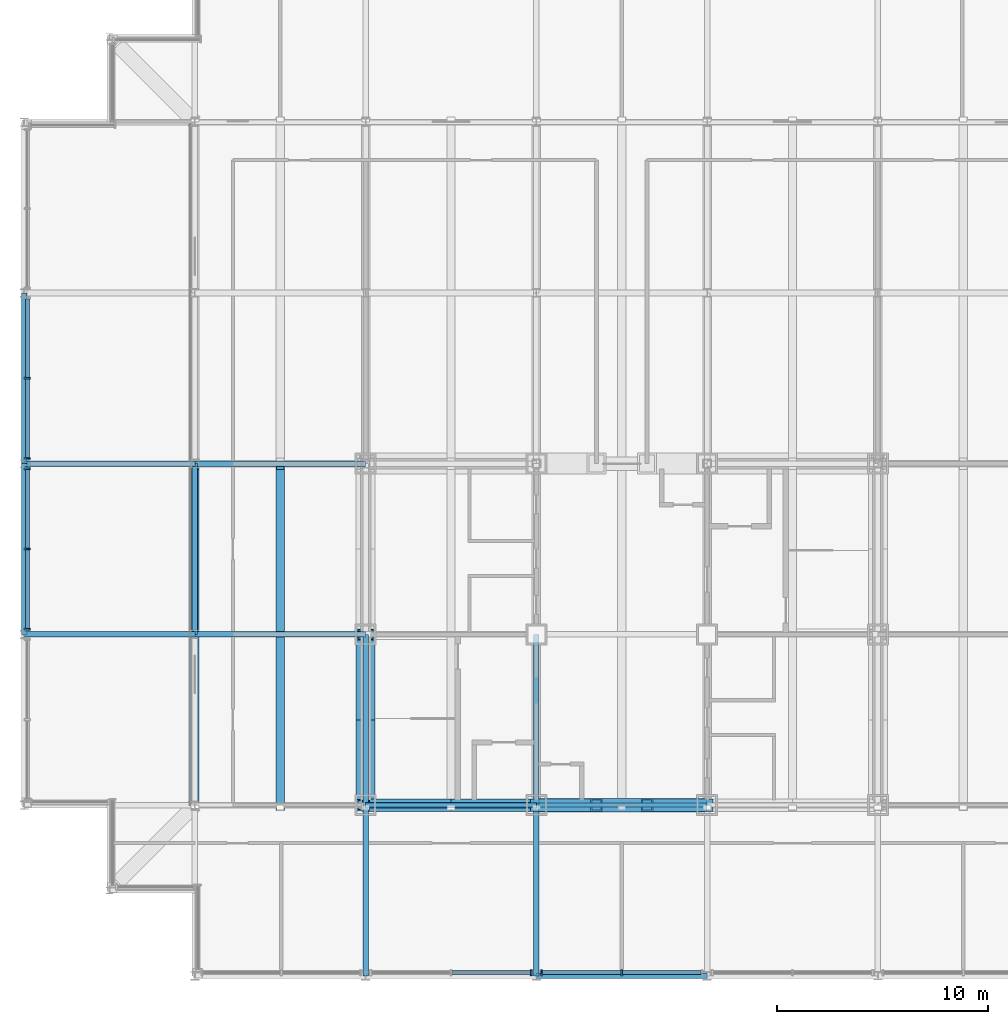
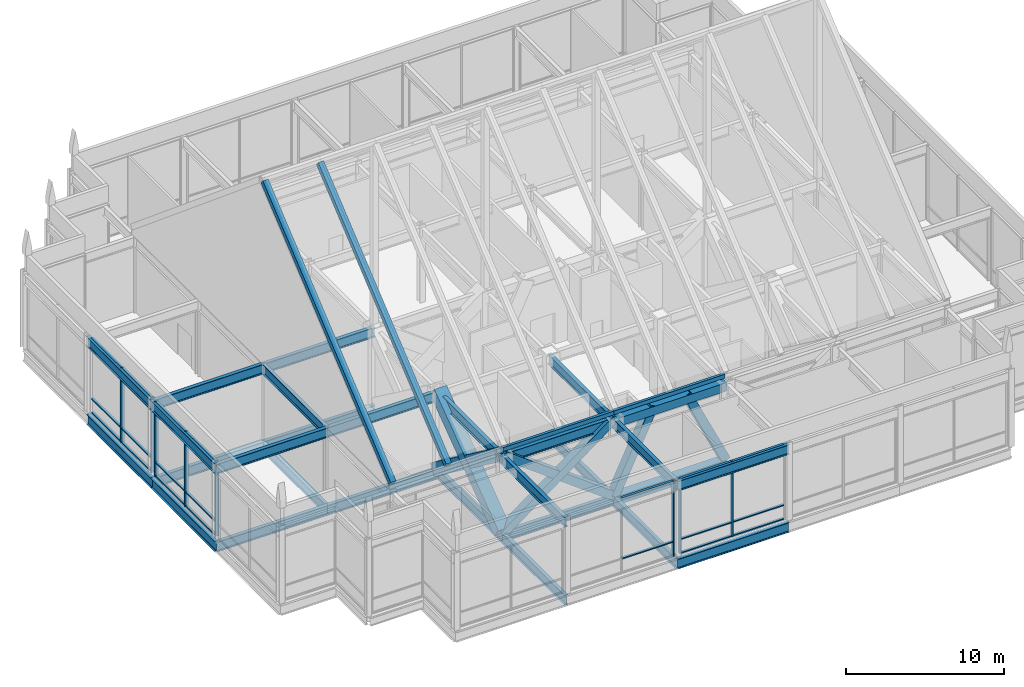
# One storey, part 6 of 22: 34 members, 32 beams, 4 elements without a shape of their own.
"""IFC4 building model written with IfcOpenShell, lengths in metres."""

from ifc_helpers import new_model, si_unit, direction, frame, origin, origin_2d, place, context, subcontext, project, spatial, rectangle, hollow_rectangle, i_section, extrude, material, material_profile, profile_set, type_object, element, aggregate, save


model = new_model("IFC4")

# Units and contexts
model_context = context("Model", 3, precision=1e-05, world=origin(), true_north=direction((0.0, 1.0)))
body_context = subcontext(model_context, "Body", "Model", "MODEL_VIEW")
ifc_project = project(units=[si_unit("LENGTHUNIT", "METRE"), si_unit("AREAUNIT", "SQUARE_METRE"), si_unit("VOLUMEUNIT", "CUBIC_METRE"), si_unit("PLANEANGLEUNIT", "RADIAN"), si_unit("MASSUNIT", "GRAM", prefix="KILO")], contexts=[model_context])

# Site, building, storey
site_placement = place(None, origin())
site = spatial("IfcSite", under=ifc_project, at=site_placement, CompositionType="ELEMENT")
building_placement = place(site_placement, origin())
building = spatial("IfcBuilding", under=site, at=building_placement, Name="Kopane Lantern Tower", CompositionType="ELEMENT")
storey_placement = place(building_placement, frame((0.0, 0.0, 303.89990234375)))
storey = spatial("IfcBuildingStorey", under=building, at=storey_placement, Name="L77", CompositionType="ELEMENT", Elevation=303.89990234375)

# Members
ifc_material_1 = material(Name="Steel S355JR", Category="steel")
ifc_material_profile_1 = material_profile(ifc_material_1, hollow_rectangle(XDim=0.60009765625, YDim=0.60009765625, WallThickness=0.06005859375, at=origin_2d()), Name="BOX 600x600x60")
ifc_profile_set_1 = profile_set([ifc_material_profile_1], Name="Steel S355JR")
member_type_1 = type_object("IfcMemberType", Name="BRACE BOX 600x600x60", PredefinedType="BRACE", material=ifc_profile_set_1)
for number, where, z_axis, x_axis, name in (
    (1, (16.199951171875, 24.300048828125, -0.2099609375), (0.803085697945, 0.0, 0.595863542899), (0.0, 1.0, 0.0), "Core brace L77"),
    (2, (24.300048828125, 24.300048828125, -0.2099609375), (-0.803085697945, 0.0, 0.595863542899), (0.0, -1.0, 0.0), "Core brace L77"),
):
    element("IfcMember", number, at=place(storey_placement, frame(where, z_axis=z_axis, x_axis=x_axis)), inside=storey, type_object=member_type_1, Name=name, PredefinedType="BRACE", context=body_context, shape_type="SweptSolid", body=[
        extrude(hollow_rectangle(XDim=0.60009765625, YDim=0.60009765625, WallThickness=0.06005859375, at=origin_2d()), origin(), (0.0, 0.0, 1.0), 10.086181640625),
    ])
for number, where, z_axis, x_axis, name in (
    (3, (24.300048828125, 24.300048828125, -0.2099609375), (0.428455516454, 0.0, 0.903562875743), (0.0, 1.0, 0.0), "Core brace L77"),
    (4, (32.39990234375, 24.300048828125, -0.2099609375), (-0.428455516454, 0.0, 0.903562875743), (0.0, -1.0, 0.0), "Core brace L77"),
):
    element("IfcMember", number, at=place(storey_placement, frame(where, z_axis=z_axis, x_axis=x_axis)), inside=storey, type_object=member_type_1, Name=name, PredefinedType="BRACE", context=body_context, shape_type="SweptSolid", body=[
        extrude(hollow_rectangle(XDim=0.60009765625, YDim=0.60009765625, WallThickness=0.06005859375, at=origin_2d()), origin(), (0.0, 0.0, 1.0), 6.6513671875),
    ])
ifc_material_2 = material(Name="Steel S355JR", Category="steel")
ifc_material_profile_2 = material_profile(ifc_material_2, hollow_rectangle(XDim=0.89990234375, YDim=0.89990234375, WallThickness=0.090087890625, at=origin_2d()), Name="BOX 900x900x90")
ifc_profile_set_2 = profile_set([ifc_material_profile_2], Name="Steel S355JR")
member_type_2 = type_object("IfcMemberType", Name="BRACE BOX 900x900x90", PredefinedType="BRACE", material=ifc_profile_set_2)
for number, where, z_axis, x_axis, name in (
    (5, (16.199951171875, 24.300048828125, -0.2099609375), (0.0, 0.803077103497, 0.595875126045), (-1.0, 0.0, 0.0), "Core brace L77"),
    (6, (16.199951171875, 32.39990234375, -0.2099609375), (0.0, -0.803077103497, 0.595875126045), (1.0, 0.0, 0.0), "Core brace L77"),
):
    element("IfcMember", number, at=place(storey_placement, frame(where, z_axis=z_axis, x_axis=x_axis)), inside=storey, type_object=member_type_2, Name=name, PredefinedType="BRACE", context=body_context, shape_type="SweptSolid", body=[
        extrude(hollow_rectangle(XDim=0.89990234375, YDim=0.89990234375, WallThickness=0.090087890625, at=origin_2d()), origin(), (0.0, 0.0, 1.0), 10.0859375),
    ])

# Beams
ifc_material_3 = material(Name="Steel S355JR", Category="steel")
ifc_material_profile_3 = material_profile(ifc_material_3, i_section(OverallWidth=0.2666015625, OverallDepth=0.76220703125, WebThickness=0.014404296875, FlangeThickness=0.021484375, FilletRadius=0.0166015625, at=origin_2d()), Name="UB 762x267x173")
ifc_profile_set_3 = profile_set([ifc_material_profile_3], Name="Steel S355JR")
beam_type_1 = type_object("IfcBeamType", Name="CORE BEAM UB 762x267x173", PredefinedType="BEAM", material=ifc_profile_set_3)
for number, where, z_axis, x_axis, name in (
    (7, (24.300048828125, 24.300048828125, -0.591064453125), (0.0, 1.0, 0.0), (-1.0, 0.0, 0.0), "Core Beam L77"),
    (8, (24.300048828125, 24.300048828125, 5.4189453125), (0.0, 1.0, 0.0), (-1.0, 0.0, 0.0), "Core Beam roof"),
):
    element("IfcBeam", number, at=place(storey_placement, frame(where, z_axis=z_axis, x_axis=x_axis)), inside=storey, type_object=beam_type_1, Name=name, PredefinedType="BEAM", context=body_context, shape_type="SweptSolid", body=[
        extrude(i_section(OverallWidth=0.2666015625, OverallDepth=0.76220703125, WebThickness=0.014404296875, FlangeThickness=0.021484375, FilletRadius=0.0166015625, at=origin_2d()), origin(), (0.0, 0.0, 1.0), 8.099853515625),
    ])
ifc_material_4 = material(Name="Steel S355JR", Category="steel")
ifc_material_profile_4 = material_profile(ifc_material_4, i_section(OverallWidth=0.2666015625, OverallDepth=0.76220703125, WebThickness=0.014404296875, FlangeThickness=0.021484375, FilletRadius=0.0166015625, at=origin_2d()), Name="UB 762x267x173")
ifc_profile_set_4 = profile_set([ifc_material_profile_4], Name="Steel S355JR")
beam_type_2 = type_object("IfcBeamType", Name="GIRDER UB 762x267x173", PredefinedType="BEAM", material=ifc_profile_set_4)
for number, where, z_axis, x_axis, name in (
    (9, (0.0, 32.39990234375, -0.591064453125), (0.0, 1.0, 0.0), (-1.0, 0.0, 0.0), "Girder L77"),
    (10, (0.0, 32.39990234375, -0.591064453125), (1.0, 0.0, 0.0), (0.0, 1.0, 0.0), "Girder L77"),
    (11, (0.0, 40.5, -0.591064453125), (0.0, 1.0, 0.0), (-1.0, 0.0, 0.0), "Girder L77"),
    (12, (0.0, 40.5, -0.591064453125), (1.0, 0.0, 0.0), (0.0, 1.0, 0.0), "Girder L77"),
    (13, (8.10009765625, 32.39990234375, -0.591064453125), (0.0, 1.0, 0.0), (-1.0, 0.0, 0.0), "Girder L77"),
):
    element("IfcBeam", number, at=place(storey_placement, frame(where, z_axis=z_axis, x_axis=x_axis)), inside=storey, type_object=beam_type_2, Name=name, PredefinedType="BEAM", context=body_context, shape_type="SweptSolid", body=[
        extrude(i_section(OverallWidth=0.2666015625, OverallDepth=0.76220703125, WebThickness=0.014404296875, FlangeThickness=0.021484375, FilletRadius=0.0166015625, at=origin_2d()), origin(), (0.0, 0.0, 1.0), 8.10009765625),
    ])
for number, where, z_axis, x_axis, name in (
    (14, (8.10009765625, 32.39990234375, -0.591064453125), (1.0, 0.0, 0.0), (0.0, 1.0, 0.0), "Girder L77"),
    (15, (8.10009765625, 40.5, -0.591064453125), (1.0, 0.0, 0.0), (0.0, 1.0, 0.0), "Girder L77"),
):
    element("IfcBeam", number, at=place(storey_placement, frame(where, z_axis=z_axis, x_axis=x_axis)), inside=storey, type_object=beam_type_2, Name=name, PredefinedType="BEAM", context=body_context, shape_type="SweptSolid", body=[
        extrude(i_section(OverallWidth=0.2666015625, OverallDepth=0.76220703125, WebThickness=0.014404296875, FlangeThickness=0.021484375, FilletRadius=0.0166015625, at=origin_2d()), origin(), (0.0, 0.0, 1.0), 8.099853515625),
    ])
beam_1_placement = place(storey_placement, frame((16.199951171875, 16.199951171875, -0.591064453125), z_axis=(0.0, 1.0, 0.0), x_axis=(-1.0, 0.0, 0.0)))
element("IfcBeam", 16, at=beam_1_placement, inside=storey, type_object=beam_type_2, Name="Girder L77", PredefinedType="BEAM", context=body_context, shape_type="SweptSolid", body=[
    extrude(i_section(OverallWidth=0.2666015625, OverallDepth=0.76220703125, WebThickness=0.014404296875, FlangeThickness=0.021484375, FilletRadius=0.0166015625, at=origin_2d()), origin(), (0.0, 0.0, 1.0), 8.10009765625),
])
beam_2_placement = place(storey_placement, frame((16.199951171875, 24.300048828125, -0.591064453125), z_axis=(0.0, 1.0, 0.0), x_axis=(-1.0, 0.0, 0.0)))
element("IfcBeam", 17, at=beam_2_placement, inside=storey, type_object=beam_type_2, Name="Girder L77", PredefinedType="BEAM", context=body_context, shape_type="SweptSolid", body=[
    extrude(i_section(OverallWidth=0.2666015625, OverallDepth=0.76220703125, WebThickness=0.014404296875, FlangeThickness=0.021484375, FilletRadius=0.0166015625, at=origin_2d()), origin(), (0.0, 0.0, 1.0), 8.099853515625),
])
for number, where, z_axis, x_axis, name in (
    (18, (16.199951171875, 24.300048828125, -0.591064453125), (1.0, 0.0, 0.0), (0.0, 1.0, 0.0), "Girder L77"),
    (19, (24.300048828125, 16.199951171875, -0.591064453125), (0.0, 1.0, 0.0), (-1.0, 0.0, 0.0), "Girder L77"),
):
    element("IfcBeam", number, at=place(storey_placement, frame(where, z_axis=z_axis, x_axis=x_axis)), inside=storey, type_object=beam_type_2, Name=name, PredefinedType="BEAM", context=body_context, shape_type="SweptSolid", body=[
        extrude(i_section(OverallWidth=0.2666015625, OverallDepth=0.76220703125, WebThickness=0.014404296875, FlangeThickness=0.021484375, FilletRadius=0.0166015625, at=origin_2d()), origin(), (0.0, 0.0, 1.0), 8.10009765625),
    ])
beam_3_placement = place(storey_placement, frame((24.300048828125, 16.199951171875, -0.591064453125), z_axis=(1.0, 0.0, 0.0), x_axis=(0.0, 1.0, 0.0)))
element("IfcBeam", 20, at=beam_3_placement, inside=storey, type_object=beam_type_2, Name="Girder L77", PredefinedType="BEAM", context=body_context, shape_type="SweptSolid", body=[
    extrude(i_section(OverallWidth=0.2666015625, OverallDepth=0.76220703125, WebThickness=0.014404296875, FlangeThickness=0.021484375, FilletRadius=0.0166015625, at=origin_2d()), origin(), (0.0, 0.0, 1.0), 8.099853515625),
])
ifc_material_5 = material(Name="Steel S355JR", Category="steel")
ifc_material_profile_5 = material_profile(ifc_material_5, hollow_rectangle(XDim=0.39990234375, YDim=0.39990234375, WallThickness=0.01611328125, at=origin_2d()), Name="RHS 400x400x16")
ifc_profile_set_5 = profile_set([ifc_material_profile_5], Name="Steel S355JR")
beam_type_3 = type_object("IfcBeamType", Name="LANTERN RAFTER SHS 400x400x16", PredefinedType="USERDEFINED", material=ifc_profile_set_5)
for number, where, z_axis, x_axis, name in (
    (21, (8.10009765625, 24.172119140625, 6.45361328125), (0.0, 0.768220329338, 0.640185539974), (-1.0, 0.0, 0.0), "Lantern rafter S"),
    (22, (12.14990234375, 24.172119140625, 6.45361328125), (0.0, 0.768220329338, 0.640185539974), (-1.0, 0.0, 0.0), "Lantern rafter S"),
):
    element("IfcBeam", number, at=place(storey_placement, frame(where, z_axis=z_axis, x_axis=x_axis)), inside=storey, type_object=beam_type_3, Name=name, ObjectType="RAFTER", PredefinedType="USERDEFINED", context=body_context, shape_type="SweptSolid", body=[
        extrude(hollow_rectangle(XDim=0.39990234375, YDim=0.39990234375, WallThickness=0.01611328125, at=origin_2d()), origin(), (0.0, 0.0, 1.0), 21.05908203125),
    ])
ifc_material_6 = material(Name="Steel S355JR", Category="steel")
ifc_material_profile_6 = material_profile(ifc_material_6, hollow_rectangle(XDim=0.199951171875, YDim=0.300048828125, WallThickness=0.010009765625, at=origin_2d()), Name="RHS 300x200x10")
ifc_profile_set_6 = profile_set([ifc_material_profile_6], Name="Steel S355JR")
beam_type_4 = type_object("IfcBeamType", Name="LANTERN SILL BEAM RHS 300x200x10", PredefinedType="BEAM", material=ifc_profile_set_6)
beam_4_placement = place(storey_placement, frame((16.199951171875, 24.300048828125, 6.150146484375), z_axis=(1.0, 0.0, 0.0), x_axis=(0.0, 1.0, 0.0)))
element("IfcBeam", 23, at=beam_4_placement, inside=storey, type_object=beam_type_4, Name="Lantern sill beam S", PredefinedType="BEAM", context=body_context, shape_type="SweptSolid", body=[
    extrude(hollow_rectangle(XDim=0.199951171875, YDim=0.300048828125, WallThickness=0.010009765625, at=origin_2d()), origin(), (0.0, 0.0, 1.0), 8.10009765625),
])
beam_5_placement = place(storey_placement, frame((24.300048828125, 24.300048828125, 6.150146484375), z_axis=(1.0, 0.0, 0.0), x_axis=(0.0, 1.0, 0.0)))
element("IfcBeam", 24, at=beam_5_placement, inside=storey, type_object=beam_type_4, Name="Lantern sill beam S", PredefinedType="BEAM", context=body_context, shape_type="SweptSolid", body=[
    extrude(hollow_rectangle(XDim=0.199951171875, YDim=0.300048828125, WallThickness=0.010009765625, at=origin_2d()), origin(), (0.0, 0.0, 1.0), 8.099853515625),
])
ifc_material_7 = material(Name="Steel S355JR", Category="steel")
ifc_material_profile_7 = material_profile(ifc_material_7, hollow_rectangle(XDim=0.64990234375, YDim=0.64990234375, WallThickness=0.070068359375, at=origin_2d()), Name="BOX 650x650x70")
ifc_profile_set_7 = profile_set([ifc_material_profile_7], Name="Steel S355JR")
beam_type_5 = type_object("IfcBeamType", Name="LINK BEAM BOX 650x650x70", PredefinedType="BEAM", material=ifc_profile_set_7)
for number, where, z_axis, x_axis, name in (
    (25, (24.300048828125, 24.300048828125, -0.534912109375), (1.0, 0.0, 0.0), (0.0, 1.0, 0.0), "Link Beam L77"),
    (26, (24.300048828125, 24.300048828125, 5.47509765625), (1.0, 0.0, 0.0), (0.0, 1.0, 0.0), "Link Beam roof"),
):
    element("IfcBeam", number, at=place(storey_placement, frame(where, z_axis=z_axis, x_axis=x_axis)), inside=storey, type_object=beam_type_5, Name=name, PredefinedType="BEAM", context=body_context, shape_type="SweptSolid", body=[
        extrude(hollow_rectangle(XDim=0.64990234375, YDim=0.64990234375, WallThickness=0.070068359375, at=origin_2d()), origin(), (0.0, 0.0, 1.0), 8.099853515625),
    ])

# Curtain wall, member
ifc_material_8 = material(Name="Aluminium and clear glass", Category="aluminium")
curtain_wall_type = type_object("IfcCurtainWallType", Name="CURTAIN WALL CW6 LANTERN CROWN", PredefinedType="USERDEFINED", material=ifc_material_8)
curtain_wall_1_placement = place(storey_placement, origin())
curtain_wall_1 = element("IfcCurtainWall", 27, at=curtain_wall_1_placement, inside=storey, type_object=curtain_wall_type, Name="Curtain wall CW6 S L77", ObjectType="CURTAIN WALL", PredefinedType="USERDEFINED")
ifc_material_9 = material(Name="Aluminium", Category="aluminium")
ifc_material_profile_8 = material_profile(ifc_material_9, rectangle(XDim=0.080078125, YDim=0.280029296875, at=origin_2d()), Name="AL 80x280")
ifc_profile_set_8 = profile_set([ifc_material_profile_8], Name="Aluminium")
member_type_3 = type_object("IfcMemberType", Name="MULLION CW6-M 80x280", PredefinedType="MULLION", material=ifc_profile_set_8)
member_1_placement = place(storey_placement, frame((24.055419921875, 16.35009765625, 0.0), z_axis=(0.0, 0.0, 1.0), x_axis=(1.0, 0.0, 0.0)))
member_1 = element("IfcMember", 28, at=member_1_placement, type_object=member_type_3, Name="CW6 mullion 3", PredefinedType="MULLION", context=body_context, shape_type="SweptSolid", body=[
    extrude(rectangle(XDim=0.080078125, YDim=0.280029296875, at=origin_2d()), origin(), (0.0, 0.0, 1.0), 5.800048828125),
])

# Curtain wall, members
curtain_wall_2_placement = place(storey_placement, origin())
curtain_wall_2 = element("IfcCurtainWall", 29, at=curtain_wall_2_placement, inside=storey, type_object=curtain_wall_type, Name="Curtain wall CW6 S L77", ObjectType="CURTAIN WALL", PredefinedType="USERDEFINED")
member_2_placement = place(storey_placement, frame((24.54443359375, 16.35009765625, 0.0), z_axis=(0.0, 0.0, 1.0), x_axis=(1.0, 0.0, 0.0)))
member_2 = element("IfcMember", 30, at=member_2_placement, type_object=member_type_3, Name="CW6 mullion 1", PredefinedType="MULLION", context=body_context, shape_type="SweptSolid", body=[
    extrude(rectangle(XDim=0.080078125, YDim=0.280029296875, at=origin_2d()), origin(), (0.0, 0.0, 1.0), 5.800048828125),
])
member_3_placement = place(storey_placement, frame((28.35009765625, 16.35009765625, 0.0), z_axis=(0.0, 0.0, 1.0), x_axis=(1.0, 0.0, 0.0)))
member_3 = element("IfcMember", 31, at=member_3_placement, type_object=member_type_3, Name="CW6 mullion 2", PredefinedType="MULLION", context=body_context, shape_type="SweptSolid", body=[
    extrude(rectangle(XDim=0.080078125, YDim=0.280029296875, at=origin_2d()), origin(), (0.0, 0.0, 1.0), 5.800048828125),
])

curtain_wall_3_placement = place(storey_placement, origin())
curtain_wall_3 = element("IfcCurtainWall", 32, at=curtain_wall_3_placement, inside=storey, type_object=curtain_wall_type, Name="Curtain wall CW6 W L77", ObjectType="CURTAIN WALL", PredefinedType="USERDEFINED")
member_4_placement = place(storey_placement, frame((0.14990234375, 44.550048828125, 0.0), z_axis=(0.0, 0.0, 1.0), x_axis=(0.0, -1.0, 0.0)))
member_4 = element("IfcMember", 33, at=member_4_placement, type_object=member_type_3, Name="CW6 mullion 2", PredefinedType="MULLION", context=body_context, shape_type="SweptSolid", body=[
    extrude(rectangle(XDim=0.080078125, YDim=0.280029296875, at=origin_2d()), origin(), (0.0, 0.0, 1.0), 5.800048828125),
])
member_5_placement = place(storey_placement, frame((0.14990234375, 40.74169921875, 0.0), z_axis=(0.0, 0.0, 1.0), x_axis=(0.0, -1.0, 0.0)))
member_5 = element("IfcMember", 34, at=member_5_placement, type_object=member_type_3, Name="CW6 mullion 3", PredefinedType="MULLION", context=body_context, shape_type="SweptSolid", body=[
    extrude(rectangle(XDim=0.080078125, YDim=0.280029296875, at=origin_2d()), origin(), (0.0, 0.0, 1.0), 5.800048828125),
])

curtain_wall_4_placement = place(storey_placement, origin())
curtain_wall_4 = element("IfcCurtainWall", 35, at=curtain_wall_4_placement, inside=storey, type_object=curtain_wall_type, Name="Curtain wall CW6 W L77", ObjectType="CURTAIN WALL", PredefinedType="USERDEFINED")
member_6_placement = place(storey_placement, frame((0.14990234375, 40.25830078125, 0.0), z_axis=(0.0, 0.0, 1.0), x_axis=(0.0, -1.0, 0.0)))
member_6 = element("IfcMember", 36, at=member_6_placement, type_object=member_type_3, Name="CW6 mullion 1", PredefinedType="MULLION", context=body_context, shape_type="SweptSolid", body=[
    extrude(rectangle(XDim=0.080078125, YDim=0.280029296875, at=origin_2d()), origin(), (0.0, 0.0, 1.0), 5.800048828125),
])
member_7_placement = place(storey_placement, frame((0.14990234375, 36.449951171875, 0.0), z_axis=(0.0, 0.0, 1.0), x_axis=(0.0, -1.0, 0.0)))
member_7 = element("IfcMember", 37, at=member_7_placement, type_object=member_type_3, Name="CW6 mullion 2", PredefinedType="MULLION", context=body_context, shape_type="SweptSolid", body=[
    extrude(rectangle(XDim=0.080078125, YDim=0.280029296875, at=origin_2d()), origin(), (0.0, 0.0, 1.0), 5.800048828125),
])
member_8_placement = place(storey_placement, frame((0.14990234375, 32.641845703125, 0.0), z_axis=(0.0, 0.0, 1.0), x_axis=(0.0, -1.0, 0.0)))
member_8 = element("IfcMember", 38, at=member_8_placement, type_object=member_type_3, Name="CW6 mullion 3", PredefinedType="MULLION", context=body_context, shape_type="SweptSolid", body=[
    extrude(rectangle(XDim=0.080078125, YDim=0.280029296875, at=origin_2d()), origin(), (0.0, 0.0, 1.0), 5.800048828125),
])

# Beams
ifc_material_10 = material(Name="Steel S355JR", Category="steel")
ifc_material_profile_9 = material_profile(ifc_material_10, i_section(OverallWidth=0.2666015625, OverallDepth=0.76220703125, WebThickness=0.014404296875, FlangeThickness=0.021484375, FilletRadius=0.0166015625, at=origin_2d()), Name="UB 762x267x173")
ifc_profile_set_9 = profile_set([ifc_material_profile_9], Name="Steel S355JR")
beam_type_6 = type_object("IfcBeamType", Name="ROOF GIRDER UB 762x267x173", PredefinedType="BEAM", material=ifc_profile_set_9)
for number, where, z_axis, x_axis, name in (
    (39, (0.0, 32.39990234375, 5.4189453125), (0.0, 1.0, 0.0), (-1.0, 0.0, 0.0), "Roof Girder roof"),
    (40, (0.0, 40.5, 5.4189453125), (0.0, 1.0, 0.0), (-1.0, 0.0, 0.0), "Roof Girder roof"),
    (41, (8.10009765625, 32.39990234375, 5.4189453125), (0.0, 1.0, 0.0), (-1.0, 0.0, 0.0), "Roof Girder roof"),
    (42, (16.199951171875, 16.199951171875, 5.4189453125), (0.0, 1.0, 0.0), (-1.0, 0.0, 0.0), "Roof Girder roof"),
):
    element("IfcBeam", number, at=place(storey_placement, frame(where, z_axis=z_axis, x_axis=x_axis)), inside=storey, type_object=beam_type_6, Name=name, PredefinedType="BEAM", context=body_context, shape_type="SweptSolid", body=[
        extrude(i_section(OverallWidth=0.2666015625, OverallDepth=0.76220703125, WebThickness=0.014404296875, FlangeThickness=0.021484375, FilletRadius=0.0166015625, at=origin_2d()), origin(), (0.0, 0.0, 1.0), 8.10009765625),
    ])
beam_6_placement = place(storey_placement, frame((16.199951171875, 24.300048828125, 5.4189453125), z_axis=(0.0, 1.0, 0.0), x_axis=(-1.0, 0.0, 0.0)))
element("IfcBeam", 43, at=beam_6_placement, inside=storey, type_object=beam_type_6, Name="Roof Girder roof", PredefinedType="BEAM", context=body_context, shape_type="SweptSolid", body=[
    extrude(i_section(OverallWidth=0.2666015625, OverallDepth=0.76220703125, WebThickness=0.014404296875, FlangeThickness=0.021484375, FilletRadius=0.0166015625, at=origin_2d()), origin(), (0.0, 0.0, 1.0), 8.099853515625),
])
beam_7_placement = place(storey_placement, frame((24.300048828125, 16.199951171875, 5.4189453125), z_axis=(0.0, 1.0, 0.0), x_axis=(-1.0, 0.0, 0.0)))
element("IfcBeam", 44, at=beam_7_placement, inside=storey, type_object=beam_type_6, Name="Roof Girder roof", PredefinedType="BEAM", context=body_context, shape_type="SweptSolid", body=[
    extrude(i_section(OverallWidth=0.2666015625, OverallDepth=0.76220703125, WebThickness=0.014404296875, FlangeThickness=0.021484375, FilletRadius=0.0166015625, at=origin_2d()), origin(), (0.0, 0.0, 1.0), 8.10009765625),
])
beam_8_placement = place(storey_placement, frame((24.300048828125, 16.199951171875, 5.4189453125), z_axis=(1.0, 0.0, 0.0), x_axis=(0.0, 1.0, 0.0)))
element("IfcBeam", 45, at=beam_8_placement, inside=storey, type_object=beam_type_6, Name="Roof Girder roof", PredefinedType="BEAM", context=body_context, shape_type="SweptSolid", body=[
    extrude(i_section(OverallWidth=0.2666015625, OverallDepth=0.76220703125, WebThickness=0.014404296875, FlangeThickness=0.021484375, FilletRadius=0.0166015625, at=origin_2d()), origin(), (0.0, 0.0, 1.0), 8.099853515625),
])
for number, where, z_axis, x_axis, name in (
    (46, (16.199951171875, 24.300048828125, 5.4189453125), (1.0, 0.0, 0.0), (0.0, 1.0, 0.0), "Roof Girder roof"),
    (47, (0.0, 32.39990234375, 5.4189453125), (1.0, 0.0, 0.0), (0.0, 1.0, 0.0), "Roof Girder roof"),
):
    element("IfcBeam", number, at=place(storey_placement, frame(where, z_axis=z_axis, x_axis=x_axis)), inside=storey, type_object=beam_type_6, Name=name, PredefinedType="BEAM", context=body_context, shape_type="SweptSolid", body=[
        extrude(i_section(OverallWidth=0.2666015625, OverallDepth=0.76220703125, WebThickness=0.014404296875, FlangeThickness=0.021484375, FilletRadius=0.0166015625, at=origin_2d()), origin(), (0.0, 0.0, 1.0), 8.10009765625),
    ])
beam_9_placement = place(storey_placement, frame((8.10009765625, 32.39990234375, 5.4189453125), z_axis=(1.0, 0.0, 0.0), x_axis=(0.0, 1.0, 0.0)))
element("IfcBeam", 48, at=beam_9_placement, inside=storey, type_object=beam_type_6, Name="Roof Girder roof", PredefinedType="BEAM", context=body_context, shape_type="SweptSolid", body=[
    extrude(i_section(OverallWidth=0.2666015625, OverallDepth=0.76220703125, WebThickness=0.014404296875, FlangeThickness=0.021484375, FilletRadius=0.0166015625, at=origin_2d()), origin(), (0.0, 0.0, 1.0), 8.099853515625),
])
beam_10_placement = place(storey_placement, frame((0.0, 40.5, 5.4189453125), z_axis=(1.0, 0.0, 0.0), x_axis=(0.0, 1.0, 0.0)))
element("IfcBeam", 49, at=beam_10_placement, inside=storey, type_object=beam_type_6, Name="Roof Girder roof", PredefinedType="BEAM", context=body_context, shape_type="SweptSolid", body=[
    extrude(i_section(OverallWidth=0.2666015625, OverallDepth=0.76220703125, WebThickness=0.014404296875, FlangeThickness=0.021484375, FilletRadius=0.0166015625, at=origin_2d()), origin(), (0.0, 0.0, 1.0), 8.10009765625),
])
beam_11_placement = place(storey_placement, frame((8.10009765625, 40.5, 5.4189453125), z_axis=(1.0, 0.0, 0.0), x_axis=(0.0, 1.0, 0.0)))
element("IfcBeam", 50, at=beam_11_placement, inside=storey, type_object=beam_type_6, Name="Roof Girder roof", PredefinedType="BEAM", context=body_context, shape_type="SweptSolid", body=[
    extrude(i_section(OverallWidth=0.2666015625, OverallDepth=0.76220703125, WebThickness=0.014404296875, FlangeThickness=0.021484375, FilletRadius=0.0166015625, at=origin_2d()), origin(), (0.0, 0.0, 1.0), 8.099853515625),
])

# Member
ifc_material_11 = material(Name="Aluminium", Category="aluminium")
ifc_material_profile_10 = material_profile(ifc_material_11, rectangle(XDim=0.18994140625, YDim=0.080078125, at=origin_2d()), Name="AL 190x80")
ifc_profile_set_10 = profile_set([ifc_material_profile_10], Name="Aluminium")
member_type_4 = type_object("IfcMemberType", Name="TRANSOM CW6-T 80x190", PredefinedType="USERDEFINED", material=ifc_profile_set_10)
member_9_placement = place(storey_placement, frame((20.2900390625, 16.35009765625, 1.10009765625), z_axis=(1.0, 0.0, 0.0), x_axis=(0.0, 1.0, 0.0)))
member_9 = element("IfcMember", 51, at=member_9_placement, type_object=member_type_4, Name="CW6 transom 2.2", ObjectType="TRANSOM", PredefinedType="USERDEFINED", context=body_context, shape_type="SweptSolid", body=[
    extrude(rectangle(XDim=0.18994140625, YDim=0.080078125, at=origin_2d()), origin(), (0.0, 0.0, 1.0), 3.725341796875),
])

member_10_placement = place(storey_placement, frame((20.2900390625, 16.35009765625, 5.760009765625), z_axis=(1.0, 0.0, 0.0), x_axis=(0.0, 1.0, 0.0)))
member_10 = element("IfcMember", 52, at=member_10_placement, type_object=member_type_4, Name="CW6 transom 2.3", ObjectType="TRANSOM", PredefinedType="USERDEFINED", context=body_context, shape_type="SweptSolid", body=[
    extrude(rectangle(XDim=0.18994140625, YDim=0.080078125, at=origin_2d()), origin(), (0.0, 0.0, 1.0), 3.725341796875),
])

aggregate(curtain_wall_1, [member_1, member_9, member_10])

member_11_placement = place(storey_placement, frame((24.58447265625, 16.35009765625, 0.0400390625), z_axis=(1.0, 0.0, 0.0), x_axis=(0.0, 1.0, 0.0)))
member_11 = element("IfcMember", 53, at=member_11_placement, type_object=member_type_4, Name="CW6 transom 1.1", ObjectType="TRANSOM", PredefinedType="USERDEFINED", context=body_context, shape_type="SweptSolid", body=[
    extrude(rectangle(XDim=0.18994140625, YDim=0.080078125, at=origin_2d()), origin(), (0.0, 0.0, 1.0), 3.7255859375),
])

member_12_placement = place(storey_placement, frame((24.58447265625, 16.35009765625, 1.10009765625), z_axis=(1.0, 0.0, 0.0), x_axis=(0.0, 1.0, 0.0)))
member_12 = element("IfcMember", 54, at=member_12_placement, type_object=member_type_4, Name="CW6 transom 1.2", ObjectType="TRANSOM", PredefinedType="USERDEFINED", context=body_context, shape_type="SweptSolid", body=[
    extrude(rectangle(XDim=0.18994140625, YDim=0.080078125, at=origin_2d()), origin(), (0.0, 0.0, 1.0), 3.7255859375),
])

member_13_placement = place(storey_placement, frame((24.58447265625, 16.35009765625, 5.760009765625), z_axis=(1.0, 0.0, 0.0), x_axis=(0.0, 1.0, 0.0)))
member_13 = element("IfcMember", 55, at=member_13_placement, type_object=member_type_4, Name="CW6 transom 1.3", ObjectType="TRANSOM", PredefinedType="USERDEFINED", context=body_context, shape_type="SweptSolid", body=[
    extrude(rectangle(XDim=0.18994140625, YDim=0.080078125, at=origin_2d()), origin(), (0.0, 0.0, 1.0), 3.7255859375),
])

member_14_placement = place(storey_placement, frame((28.389892578125, 16.35009765625, 0.0400390625), z_axis=(1.0, 0.0, 0.0), x_axis=(0.0, 1.0, 0.0)))
member_14 = element("IfcMember", 56, at=member_14_placement, type_object=member_type_4, Name="CW6 transom 2.1", ObjectType="TRANSOM", PredefinedType="USERDEFINED", context=body_context, shape_type="SweptSolid", body=[
    extrude(rectangle(XDim=0.18994140625, YDim=0.080078125, at=origin_2d()), origin(), (0.0, 0.0, 1.0), 3.7255859375),
])

member_15_placement = place(storey_placement, frame((28.389892578125, 16.35009765625, 1.10009765625), z_axis=(1.0, 0.0, 0.0), x_axis=(0.0, 1.0, 0.0)))
member_15 = element("IfcMember", 57, at=member_15_placement, type_object=member_type_4, Name="CW6 transom 2.2", ObjectType="TRANSOM", PredefinedType="USERDEFINED", context=body_context, shape_type="SweptSolid", body=[
    extrude(rectangle(XDim=0.18994140625, YDim=0.080078125, at=origin_2d()), origin(), (0.0, 0.0, 1.0), 3.7255859375),
])

member_16_placement = place(storey_placement, frame((28.389892578125, 16.35009765625, 5.760009765625), z_axis=(1.0, 0.0, 0.0), x_axis=(0.0, 1.0, 0.0)))
member_16 = element("IfcMember", 58, at=member_16_placement, type_object=member_type_4, Name="CW6 transom 2.3", ObjectType="TRANSOM", PredefinedType="USERDEFINED", context=body_context, shape_type="SweptSolid", body=[
    extrude(rectangle(XDim=0.18994140625, YDim=0.080078125, at=origin_2d()), origin(), (0.0, 0.0, 1.0), 3.7255859375),
])

aggregate(curtain_wall_2, [member_2, member_3, member_11, member_12, member_13, member_14, member_15, member_16])

member_17_placement = place(storey_placement, frame((0.14990234375, 48.318115234375, 0.0400390625), z_axis=(0.0, -1.0, 0.0), x_axis=(1.0, 0.0, 0.0)))
member_17 = element("IfcMember", 59, at=member_17_placement, type_object=member_type_4, Name="CW6 transom 1.1", ObjectType="TRANSOM", PredefinedType="USERDEFINED", context=body_context, shape_type="SweptSolid", body=[
    extrude(rectangle(XDim=0.18994140625, YDim=0.080078125, at=origin_2d()), origin(), (0.0, 0.0, 1.0), 3.72802734375),
])

member_18_placement = place(storey_placement, frame((0.14990234375, 48.318115234375, 1.10009765625), z_axis=(0.0, -1.0, 0.0), x_axis=(1.0, 0.0, 0.0)))
member_18 = element("IfcMember", 60, at=member_18_placement, type_object=member_type_4, Name="CW6 transom 1.2", ObjectType="TRANSOM", PredefinedType="USERDEFINED", context=body_context, shape_type="SweptSolid", body=[
    extrude(rectangle(XDim=0.18994140625, YDim=0.080078125, at=origin_2d()), origin(), (0.0, 0.0, 1.0), 3.72802734375),
])

member_19_placement = place(storey_placement, frame((0.14990234375, 48.318115234375, 5.760009765625), z_axis=(0.0, -1.0, 0.0), x_axis=(1.0, 0.0, 0.0)))
member_19 = element("IfcMember", 61, at=member_19_placement, type_object=member_type_4, Name="CW6 transom 1.3", ObjectType="TRANSOM", PredefinedType="USERDEFINED", context=body_context, shape_type="SweptSolid", body=[
    extrude(rectangle(XDim=0.18994140625, YDim=0.080078125, at=origin_2d()), origin(), (0.0, 0.0, 1.0), 3.72802734375),
])

member_20_placement = place(storey_placement, frame((0.14990234375, 44.510009765625, 0.0400390625), z_axis=(0.0, -1.0, 0.0), x_axis=(1.0, 0.0, 0.0)))
member_20 = element("IfcMember", 62, at=member_20_placement, type_object=member_type_4, Name="CW6 transom 2.1", ObjectType="TRANSOM", PredefinedType="USERDEFINED", context=body_context, shape_type="SweptSolid", body=[
    extrude(rectangle(XDim=0.18994140625, YDim=0.080078125, at=origin_2d()), origin(), (0.0, 0.0, 1.0), 3.728271484375),
])

member_21_placement = place(storey_placement, frame((0.14990234375, 44.510009765625, 1.10009765625), z_axis=(0.0, -1.0, 0.0), x_axis=(1.0, 0.0, 0.0)))
member_21 = element("IfcMember", 63, at=member_21_placement, type_object=member_type_4, Name="CW6 transom 2.2", ObjectType="TRANSOM", PredefinedType="USERDEFINED", context=body_context, shape_type="SweptSolid", body=[
    extrude(rectangle(XDim=0.18994140625, YDim=0.080078125, at=origin_2d()), origin(), (0.0, 0.0, 1.0), 3.728271484375),
])

member_22_placement = place(storey_placement, frame((0.14990234375, 44.510009765625, 5.760009765625), z_axis=(0.0, -1.0, 0.0), x_axis=(1.0, 0.0, 0.0)))
member_22 = element("IfcMember", 64, at=member_22_placement, type_object=member_type_4, Name="CW6 transom 2.3", ObjectType="TRANSOM", PredefinedType="USERDEFINED", context=body_context, shape_type="SweptSolid", body=[
    extrude(rectangle(XDim=0.18994140625, YDim=0.080078125, at=origin_2d()), origin(), (0.0, 0.0, 1.0), 3.728271484375),
])

aggregate(curtain_wall_3, [member_4, member_5, member_17, member_18, member_19, member_20, member_21, member_22])

member_23_placement = place(storey_placement, frame((0.14990234375, 40.21826171875, 0.0400390625), z_axis=(0.0, -1.0, 0.0), x_axis=(1.0, 0.0, 0.0)))
member_23 = element("IfcMember", 65, at=member_23_placement, type_object=member_type_4, Name="CW6 transom 1.1", ObjectType="TRANSOM", PredefinedType="USERDEFINED", context=body_context, shape_type="SweptSolid", body=[
    extrude(rectangle(XDim=0.18994140625, YDim=0.080078125, at=origin_2d()), origin(), (0.0, 0.0, 1.0), 3.728271484375),
])

member_24_placement = place(storey_placement, frame((0.14990234375, 40.21826171875, 1.10009765625), z_axis=(0.0, -1.0, 0.0), x_axis=(1.0, 0.0, 0.0)))
member_24 = element("IfcMember", 66, at=member_24_placement, type_object=member_type_4, Name="CW6 transom 1.2", ObjectType="TRANSOM", PredefinedType="USERDEFINED", context=body_context, shape_type="SweptSolid", body=[
    extrude(rectangle(XDim=0.18994140625, YDim=0.080078125, at=origin_2d()), origin(), (0.0, 0.0, 1.0), 3.728271484375),
])

member_25_placement = place(storey_placement, frame((0.14990234375, 40.21826171875, 5.760009765625), z_axis=(0.0, -1.0, 0.0), x_axis=(1.0, 0.0, 0.0)))
member_25 = element("IfcMember", 67, at=member_25_placement, type_object=member_type_4, Name="CW6 transom 1.3", ObjectType="TRANSOM", PredefinedType="USERDEFINED", context=body_context, shape_type="SweptSolid", body=[
    extrude(rectangle(XDim=0.18994140625, YDim=0.080078125, at=origin_2d()), origin(), (0.0, 0.0, 1.0), 3.728271484375),
])

member_26_placement = place(storey_placement, frame((0.14990234375, 36.409912109375, 0.0400390625), z_axis=(0.0, -1.0, 0.0), x_axis=(1.0, 0.0, 0.0)))
member_26 = element("IfcMember", 68, at=member_26_placement, type_object=member_type_4, Name="CW6 transom 2.1", ObjectType="TRANSOM", PredefinedType="USERDEFINED", context=body_context, shape_type="SweptSolid", body=[
    extrude(rectangle(XDim=0.18994140625, YDim=0.080078125, at=origin_2d()), origin(), (0.0, 0.0, 1.0), 3.72802734375),
])

member_27_placement = place(storey_placement, frame((0.14990234375, 36.409912109375, 1.10009765625), z_axis=(0.0, -1.0, 0.0), x_axis=(1.0, 0.0, 0.0)))
member_27 = element("IfcMember", 69, at=member_27_placement, type_object=member_type_4, Name="CW6 transom 2.2", ObjectType="TRANSOM", PredefinedType="USERDEFINED", context=body_context, shape_type="SweptSolid", body=[
    extrude(rectangle(XDim=0.18994140625, YDim=0.080078125, at=origin_2d()), origin(), (0.0, 0.0, 1.0), 3.72802734375),
])

member_28_placement = place(storey_placement, frame((0.14990234375, 36.409912109375, 5.760009765625), z_axis=(0.0, -1.0, 0.0), x_axis=(1.0, 0.0, 0.0)))
member_28 = element("IfcMember", 70, at=member_28_placement, type_object=member_type_4, Name="CW6 transom 2.3", ObjectType="TRANSOM", PredefinedType="USERDEFINED", context=body_context, shape_type="SweptSolid", body=[
    extrude(rectangle(XDim=0.18994140625, YDim=0.080078125, at=origin_2d()), origin(), (0.0, 0.0, 1.0), 3.72802734375),
])

aggregate(curtain_wall_4, [member_6, member_7, member_8, member_23, member_24, member_25, member_26, member_27, member_28])

save(model, "model.ifc")
